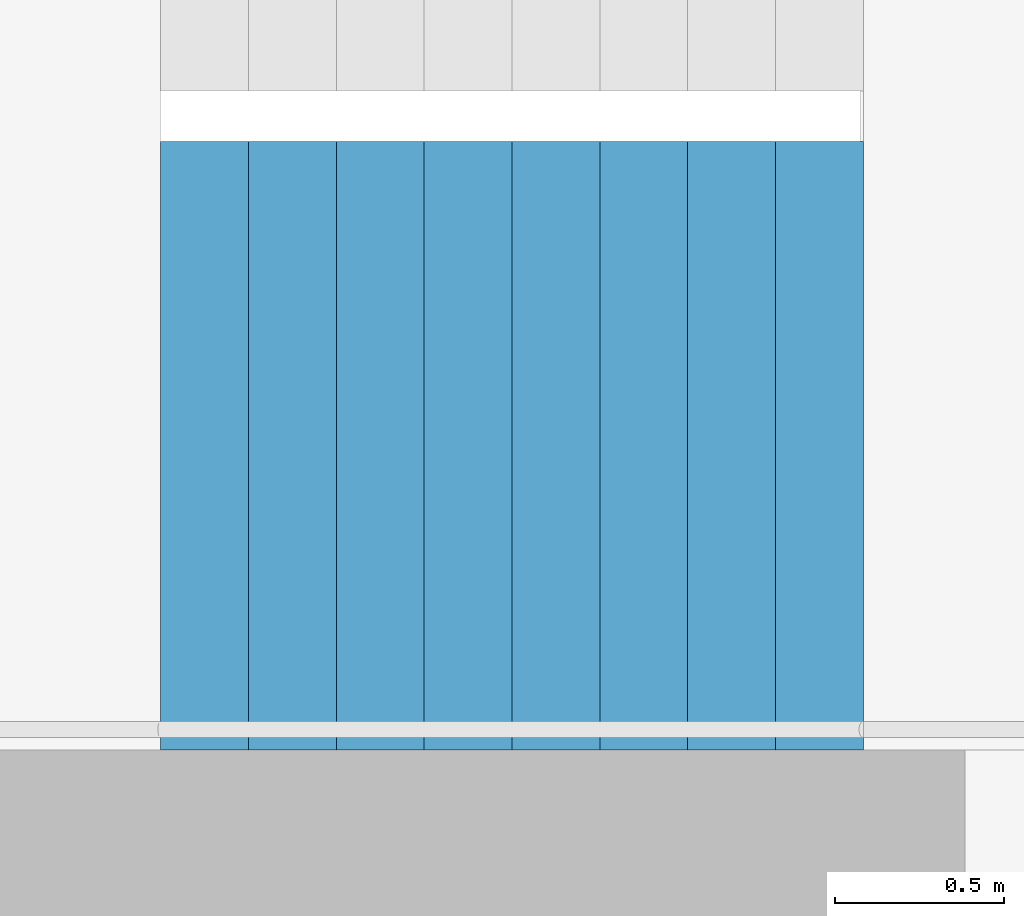
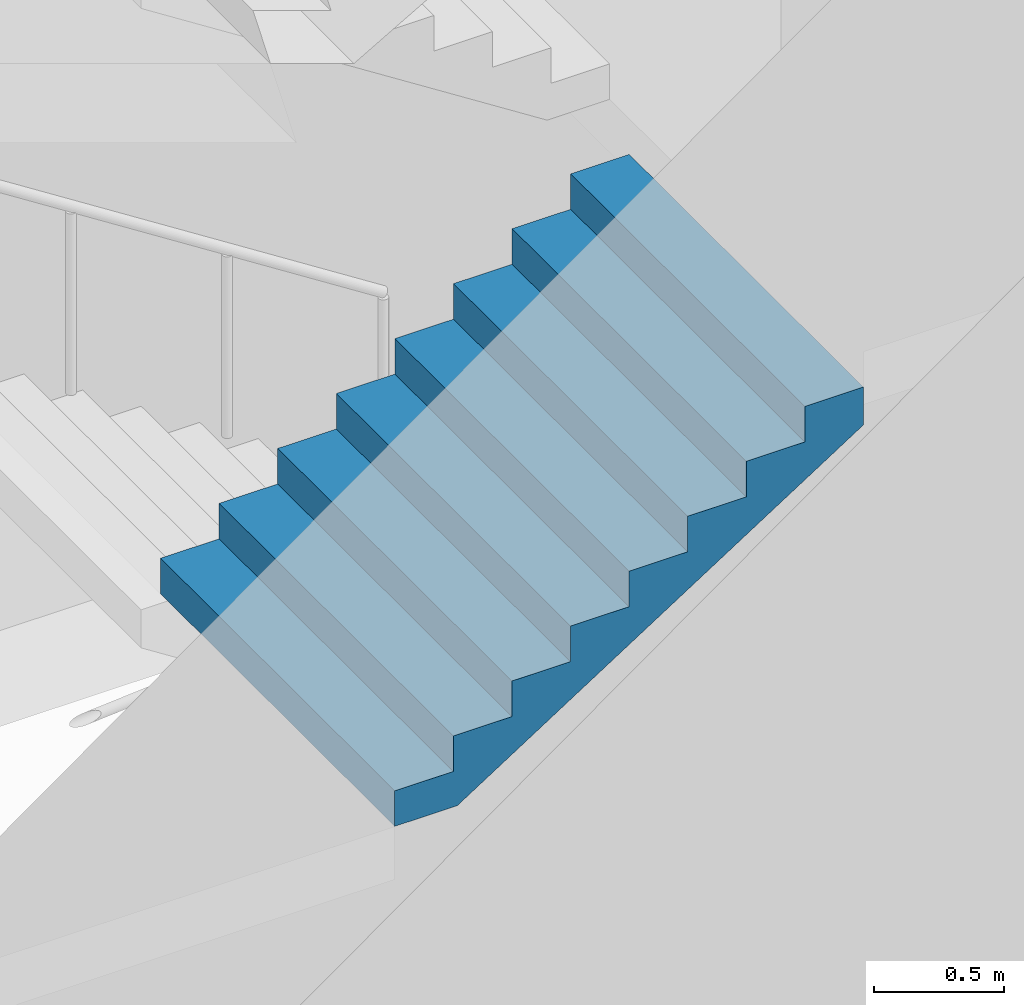
# One storey, part 18 of 35: 1 stair flight, 1 element without a shape of its own.
"""IFC4 building model written with IfcOpenShell, lengths in metres."""

from ifc_helpers import new_model, si_unit, direction, frame, origin, place, context, subcontext, project, spatial, triangles, material, type_object, element, aggregate, save


model = new_model("IFC4")

# Units and contexts
model_context = context("Model", 3, precision=1e-05, world=origin(), true_north=direction((0.0, 1.0)))
body_context = subcontext(model_context, "Body", "Model", "MODEL_VIEW")
ifc_project = project(units=[si_unit("LENGTHUNIT", "METRE"), si_unit("AREAUNIT", "SQUARE_METRE"), si_unit("VOLUMEUNIT", "CUBIC_METRE"), si_unit("PLANEANGLEUNIT", "RADIAN"), si_unit("MASSUNIT", "GRAM", prefix="KILO")], contexts=[model_context])

# Site, building, storey
site_placement = place(None, origin())
site = spatial("IfcSite", under=ifc_project, at=site_placement, CompositionType="ELEMENT")
building_placement = place(site_placement, origin())
building = spatial("IfcBuilding", under=site, at=building_placement, Name="Hakoniwa Tower and Hamabe Station Hall", CompositionType="ELEMENT")
storey_placement = place(building_placement, frame((0.0, 0.0, 264.60009765625)))
storey = spatial("IfcBuildingStorey", under=building, at=storey_placement, Name="L75", CompositionType="ELEMENT", Elevation=264.60009765625)

# Stair, stair flight
ifc_material_1 = material(Name="Concrete C40", Category="concrete")
stair_type = type_object("IfcStairType", Name="ESCAPE STAIR 1800", PredefinedType="HALF_TURN_STAIR", material=ifc_material_1)
stair_placement = place(storey_placement, origin())
stair = element("IfcStair", 1, at=stair_placement, inside=storey, type_object=stair_type, Name="Escape stair ST-2 L75", PredefinedType="HALF_TURN_STAIR")
ifc_material_2 = material(Name="Concrete C40", Category="concrete")
stair_flight_type = type_object("IfcStairFlightType", Name="STAIR FLIGHT 1800", PredefinedType="STRAIGHT", material=ifc_material_2)
stair_flight_placement = place(storey_placement, frame((-25.47998046875, -6.60009765625, 1.5), z_axis=(0.0, 0.0, 1.0), x_axis=(1.0, 0.0, 0.0)))
stair_flight = element("IfcStairFlight", 2, at=stair_flight_placement, type_object=stair_flight_type, Name="ST-2 flight 2", NumberOfRisers=9, NumberOfTreads=8, PredefinedType="STRAIGHT", RiserHeight=0.166666667, TreadLength=0.26, context=body_context, shape_type="Tessellation", body=[
    triangles([(0.0, 0.89990234375, 0.0), (0.260009765625, 0.89990234375, 0.0), (0.27783203125, 0.89990234375, 0.0), (0.52001953125, 0.89990234375, 0.1552734375), (0.780029296875, 0.89990234375, 0.322021484375), (1.0400390625, 0.89990234375, 0.488525390625), (1.300048828125, 0.89990234375, 0.6552734375), (1.56005859375, 0.89990234375, 0.822021484375), (1.820068359375, 0.89990234375, 0.988525390625), (2.080078125, 0.89990234375, 1.1552734375), (2.080078125, 0.89990234375, 1.333251953125), (1.820068359375, 0.89990234375, 1.333251953125), (1.820068359375, 0.89990234375, 1.166748046875), (1.56005859375, 0.89990234375, 1.166748046875), (1.56005859375, 0.89990234375, 1.0), (1.300048828125, 0.89990234375, 1.0), (1.300048828125, 0.89990234375, 0.833251953125), (1.0400390625, 0.89990234375, 0.833251953125), (1.0400390625, 0.89990234375, 0.666748046875), (0.780029296875, 0.89990234375, 0.666748046875), (0.780029296875, 0.89990234375, 0.5), (0.52001953125, 0.89990234375, 0.5), (0.52001953125, 0.89990234375, 0.333251953125), (0.27783203125, 0.89990234375, 0.333251953125), (0.260009765625, 0.89990234375, 0.333251953125), (0.260009765625, 0.89990234375, 0.166748046875), (0.0, 0.89990234375, 0.166748046875), (0.0, 0.06005859375, 0.0), (0.260009765625, 0.06005859375, 0.0), (0.27783203125, 0.06005859375, 0.0), (0.52001953125, 0.06005859375, 0.1552734375), (0.780029296875, 0.06005859375, 0.322021484375), (1.0400390625, 0.06005859375, 0.488525390625), (1.300048828125, 0.06005859375, 0.6552734375), (1.56005859375, 0.06005859375, 0.822021484375), (1.820068359375, 0.06005859375, 0.988525390625), (2.080078125, 0.06005859375, 1.1552734375), (2.080078125, 0.06005859375, 1.333251953125), (1.820068359375, 0.06005859375, 1.333251953125), (1.820068359375, 0.06005859375, 1.166748046875), (1.56005859375, 0.06005859375, 1.166748046875), (1.56005859375, 0.06005859375, 1.0), (1.300048828125, 0.06005859375, 1.0), (1.300048828125, 0.06005859375, 0.833251953125), (1.0400390625, 0.06005859375, 0.833251953125), (1.0400390625, 0.06005859375, 0.666748046875), (0.780029296875, 0.06005859375, 0.666748046875), (0.780029296875, 0.06005859375, 0.5), (0.52001953125, 0.06005859375, 0.5), (0.52001953125, 0.06005859375, 0.333251953125), (0.27783203125, 0.06005859375, 0.333251953125), (0.260009765625, 0.06005859375, 0.333251953125), (0.260009765625, 0.06005859375, 0.166748046875), (0.0, 0.06005859375, 0.166748046875), (0.0, 0.04296875, 0.0), (0.260009765625, 0.04296875, 0.0), (0.27783203125, 0.04296875, 0.0), (0.52001953125, 0.04296875, 0.1552734375), (0.780029296875, 0.04296875, 0.322021484375), (1.0400390625, 0.04296875, 0.488525390625), (1.300048828125, 0.04296875, 0.6552734375), (1.56005859375, 0.04296875, 0.822021484375), (1.820068359375, 0.04296875, 0.988525390625), (2.080078125, 0.04296875, 1.1552734375), (2.080078125, 0.04296875, 1.333251953125), (1.820068359375, 0.04296875, 1.333251953125), (1.820068359375, 0.04296875, 1.166748046875), (1.56005859375, 0.04296875, 1.166748046875), (1.56005859375, 0.04296875, 1.0), (1.300048828125, 0.04296875, 1.0), (1.300048828125, 0.04296875, 0.833251953125), (1.0400390625, 0.04296875, 0.833251953125), (1.0400390625, 0.04296875, 0.666748046875), (0.780029296875, 0.04296875, 0.666748046875), (0.780029296875, 0.04296875, 0.5), (0.52001953125, 0.04296875, 0.5), (0.52001953125, 0.04296875, 0.333251953125), (0.27783203125, 0.04296875, 0.333251953125), (0.260009765625, 0.04296875, 0.333251953125), (0.260009765625, 0.04296875, 0.166748046875), (0.0, 0.04296875, 0.166748046875), (0.0, 0.025634765625, 0.0), (0.260009765625, 0.025634765625, 0.0), (0.27783203125, 0.025634765625, 0.0), (0.52001953125, 0.025634765625, 0.1552734375), (0.780029296875, 0.025634765625, 0.322021484375), (1.0400390625, 0.025634765625, 0.488525390625), (1.300048828125, 0.025634765625, 0.6552734375), (1.56005859375, 0.025634765625, 0.822021484375), (1.820068359375, 0.025634765625, 0.988525390625), (2.080078125, 0.025634765625, 1.1552734375), (2.080078125, 0.025634765625, 1.333251953125), (1.820068359375, 0.025634765625, 1.333251953125), (1.820068359375, 0.025634765625, 1.166748046875), (1.56005859375, 0.025634765625, 1.166748046875), (1.56005859375, 0.025634765625, 1.0), (1.300048828125, 0.025634765625, 1.0), (1.300048828125, 0.025634765625, 0.833251953125), (1.0400390625, 0.025634765625, 0.833251953125), (1.0400390625, 0.025634765625, 0.666748046875), (0.780029296875, 0.025634765625, 0.666748046875), (0.780029296875, 0.025634765625, 0.5), (0.52001953125, 0.025634765625, 0.5), (0.52001953125, 0.025634765625, 0.333251953125), (0.27783203125, 0.025634765625, 0.333251953125), (0.260009765625, 0.025634765625, 0.333251953125), (0.260009765625, 0.025634765625, 0.166748046875), (0.0, 0.025634765625, 0.166748046875), (0.0, 0.008544921875, 0.0), (0.260009765625, 0.008544921875, 0.0), (0.27783203125, 0.008544921875, 0.0), (0.52001953125, 0.008544921875, 0.1552734375), (0.780029296875, 0.008544921875, 0.322021484375), (1.0400390625, 0.008544921875, 0.488525390625), (1.300048828125, 0.008544921875, 0.6552734375), (1.56005859375, 0.008544921875, 0.822021484375), (1.820068359375, 0.008544921875, 0.988525390625), (2.080078125, 0.008544921875, 1.1552734375), (2.080078125, 0.008544921875, 1.333251953125), (1.820068359375, 0.008544921875, 1.333251953125), (1.820068359375, 0.008544921875, 1.166748046875), (1.56005859375, 0.008544921875, 1.166748046875), (1.56005859375, 0.008544921875, 1.0), (1.300048828125, 0.008544921875, 1.0), (1.300048828125, 0.008544921875, 0.833251953125), (1.0400390625, 0.008544921875, 0.833251953125), (1.0400390625, 0.008544921875, 0.666748046875), (0.780029296875, 0.008544921875, 0.666748046875), (0.780029296875, 0.008544921875, 0.5), (0.52001953125, 0.008544921875, 0.5), (0.52001953125, 0.008544921875, 0.333251953125), (0.27783203125, 0.008544921875, 0.333251953125), (0.260009765625, 0.008544921875, 0.333251953125), (0.260009765625, 0.008544921875, 0.166748046875), (0.0, 0.008544921875, 0.166748046875), (0.0, -0.008544921875, 0.0), (0.260009765625, -0.008544921875, 0.0), (0.27783203125, -0.008544921875, 0.0), (0.52001953125, -0.008544921875, 0.1552734375), (0.780029296875, -0.008544921875, 0.322021484375), (1.0400390625, -0.008544921875, 0.488525390625), (1.300048828125, -0.008544921875, 0.6552734375), (1.56005859375, -0.008544921875, 0.822021484375), (1.820068359375, -0.008544921875, 0.988525390625), (2.080078125, -0.008544921875, 1.1552734375), (2.080078125, -0.008544921875, 1.333251953125), (1.820068359375, -0.008544921875, 1.333251953125), (1.820068359375, -0.008544921875, 1.166748046875), (1.56005859375, -0.008544921875, 1.166748046875), (1.56005859375, -0.008544921875, 1.0), (1.300048828125, -0.008544921875, 1.0), (1.300048828125, -0.008544921875, 0.833251953125), (1.0400390625, -0.008544921875, 0.833251953125), (1.0400390625, -0.008544921875, 0.666748046875), (0.780029296875, -0.008544921875, 0.666748046875), (0.780029296875, -0.008544921875, 0.5), (0.52001953125, -0.008544921875, 0.5), (0.52001953125, -0.008544921875, 0.333251953125), (0.27783203125, -0.008544921875, 0.333251953125), (0.260009765625, -0.008544921875, 0.333251953125), (0.260009765625, -0.008544921875, 0.166748046875), (0.0, -0.008544921875, 0.166748046875), (0.0, -0.025634765625, 0.0), (0.260009765625, -0.025634765625, 0.0), (0.27783203125, -0.025634765625, 0.0), (0.52001953125, -0.025634765625, 0.1552734375), (0.780029296875, -0.025634765625, 0.322021484375), (1.0400390625, -0.025634765625, 0.488525390625), (1.300048828125, -0.025634765625, 0.6552734375), (1.56005859375, -0.025634765625, 0.822021484375), (1.820068359375, -0.025634765625, 0.988525390625), (2.080078125, -0.025634765625, 1.1552734375), (2.080078125, -0.025634765625, 1.333251953125), (1.820068359375, -0.025634765625, 1.333251953125), (1.820068359375, -0.025634765625, 1.166748046875), (1.56005859375, -0.025634765625, 1.166748046875), (1.56005859375, -0.025634765625, 1.0), (1.300048828125, -0.025634765625, 1.0), (1.300048828125, -0.025634765625, 0.833251953125), (1.0400390625, -0.025634765625, 0.833251953125), (1.0400390625, -0.025634765625, 0.666748046875), (0.780029296875, -0.025634765625, 0.666748046875), (0.780029296875, -0.025634765625, 0.5), (0.52001953125, -0.025634765625, 0.5), (0.52001953125, -0.025634765625, 0.333251953125), (0.27783203125, -0.025634765625, 0.333251953125), (0.260009765625, -0.025634765625, 0.333251953125), (0.260009765625, -0.025634765625, 0.166748046875), (0.0, -0.025634765625, 0.166748046875), (0.0, -0.04296875, 0.0), (0.260009765625, -0.04296875, 0.0), (0.27783203125, -0.04296875, 0.0), (0.52001953125, -0.04296875, 0.1552734375), (0.780029296875, -0.04296875, 0.322021484375), (1.0400390625, -0.04296875, 0.488525390625), (1.300048828125, -0.04296875, 0.6552734375), (1.56005859375, -0.04296875, 0.822021484375), (1.820068359375, -0.04296875, 0.988525390625), (2.080078125, -0.04296875, 1.1552734375), (2.080078125, -0.04296875, 1.333251953125), (1.820068359375, -0.04296875, 1.333251953125), (1.820068359375, -0.04296875, 1.166748046875), (1.56005859375, -0.04296875, 1.166748046875), (1.56005859375, -0.04296875, 1.0), (1.300048828125, -0.04296875, 1.0), (1.300048828125, -0.04296875, 0.833251953125), (1.0400390625, -0.04296875, 0.833251953125), (1.0400390625, -0.04296875, 0.666748046875), (0.780029296875, -0.04296875, 0.666748046875), (0.780029296875, -0.04296875, 0.5), (0.52001953125, -0.04296875, 0.5), (0.52001953125, -0.04296875, 0.333251953125), (0.27783203125, -0.04296875, 0.333251953125), (0.260009765625, -0.04296875, 0.333251953125), (0.260009765625, -0.04296875, 0.166748046875), (0.0, -0.04296875, 0.166748046875), (0.0, -0.06005859375, 0.0), (0.260009765625, -0.06005859375, 0.0), (0.27783203125, -0.06005859375, 0.0), (0.52001953125, -0.06005859375, 0.1552734375), (0.780029296875, -0.06005859375, 0.322021484375), (1.0400390625, -0.06005859375, 0.488525390625), (1.300048828125, -0.06005859375, 0.6552734375), (1.56005859375, -0.06005859375, 0.822021484375), (1.820068359375, -0.06005859375, 0.988525390625), (2.080078125, -0.06005859375, 1.1552734375), (2.080078125, -0.06005859375, 1.333251953125), (1.820068359375, -0.06005859375, 1.333251953125), (1.820068359375, -0.06005859375, 1.166748046875), (1.56005859375, -0.06005859375, 1.166748046875), (1.56005859375, -0.06005859375, 1.0), (1.300048828125, -0.06005859375, 1.0), (1.300048828125, -0.06005859375, 0.833251953125), (1.0400390625, -0.06005859375, 0.833251953125), (1.0400390625, -0.06005859375, 0.666748046875), (0.780029296875, -0.06005859375, 0.666748046875), (0.780029296875, -0.06005859375, 0.5), (0.52001953125, -0.06005859375, 0.5), (0.52001953125, -0.06005859375, 0.333251953125), (0.27783203125, -0.06005859375, 0.333251953125), (0.260009765625, -0.06005859375, 0.333251953125), (0.260009765625, -0.06005859375, 0.166748046875), (0.0, -0.06005859375, 0.166748046875), (0.0, -0.89990234375, 0.0), (0.260009765625, -0.89990234375, 0.0), (0.27783203125, -0.89990234375, 0.0), (0.52001953125, -0.89990234375, 0.1552734375), (0.780029296875, -0.89990234375, 0.322021484375), (1.0400390625, -0.89990234375, 0.488525390625), (1.300048828125, -0.89990234375, 0.6552734375), (1.56005859375, -0.89990234375, 0.822021484375), (1.820068359375, -0.89990234375, 0.988525390625), (2.080078125, -0.89990234375, 1.1552734375), (2.080078125, -0.89990234375, 1.333251953125), (1.820068359375, -0.89990234375, 1.333251953125), (1.820068359375, -0.89990234375, 1.166748046875), (1.56005859375, -0.89990234375, 1.166748046875), (1.56005859375, -0.89990234375, 1.0), (1.300048828125, -0.89990234375, 1.0), (1.300048828125, -0.89990234375, 0.833251953125), (1.0400390625, -0.89990234375, 0.833251953125), (1.0400390625, -0.89990234375, 0.666748046875), (0.780029296875, -0.89990234375, 0.666748046875), (0.780029296875, -0.89990234375, 0.5), (0.52001953125, -0.89990234375, 0.5), (0.52001953125, -0.89990234375, 0.333251953125), (0.27783203125, -0.89990234375, 0.333251953125), (0.260009765625, -0.89990234375, 0.333251953125), (0.260009765625, -0.89990234375, 0.166748046875), (0.0, -0.89990234375, 0.166748046875)], [[2, 27, 26], [245, 269, 270], [2, 1, 27], [245, 270, 244], [3, 25, 24], [246, 267, 268], [3, 26, 25], [246, 268, 269], [3, 2, 26], [246, 269, 245], [4, 24, 23], [247, 266, 267], [4, 3, 24], [247, 267, 246], [5, 22, 21], [248, 264, 265], [5, 23, 22], [248, 265, 266], [5, 4, 23], [248, 266, 247], [6, 20, 19], [249, 262, 263], [6, 21, 20], [249, 263, 264], [6, 5, 21], [249, 264, 248], [7, 18, 17], [250, 260, 261], [7, 19, 18], [250, 261, 262], [7, 6, 19], [250, 262, 249], [8, 16, 15], [251, 258, 259], [8, 17, 16], [251, 259, 260], [8, 7, 17], [251, 260, 250], [9, 14, 13], [252, 256, 257], [9, 15, 14], [252, 257, 258], [9, 8, 15], [252, 258, 251], [10, 12, 11], [253, 254, 255], [10, 13, 12], [253, 255, 256], [10, 9, 13], [253, 256, 252], [1, 2, 29], [1, 29, 28], [28, 29, 56], [28, 56, 55], [55, 56, 83], [55, 83, 82], [82, 83, 110], [82, 110, 109], [109, 110, 137], [109, 137, 136], [136, 137, 164], [136, 164, 163], [163, 164, 191], [163, 191, 190], [190, 191, 218], [190, 218, 217], [217, 218, 245], [217, 245, 244], [2, 3, 30], [2, 30, 29], [29, 30, 57], [29, 57, 56], [56, 57, 84], [56, 84, 83], [83, 84, 111], [83, 111, 110], [110, 111, 138], [110, 138, 137], [137, 138, 165], [137, 165, 164], [164, 165, 192], [164, 192, 191], [191, 192, 219], [191, 219, 218], [218, 219, 246], [218, 246, 245], [3, 4, 31], [3, 31, 30], [30, 31, 58], [30, 58, 57], [57, 58, 85], [57, 85, 84], [84, 85, 112], [84, 112, 111], [111, 112, 139], [111, 139, 138], [138, 139, 166], [138, 166, 165], [165, 166, 193], [165, 193, 192], [192, 193, 220], [192, 220, 219], [219, 220, 247], [219, 247, 246], [4, 5, 32], [4, 32, 31], [31, 32, 59], [31, 59, 58], [58, 59, 86], [58, 86, 85], [85, 86, 113], [85, 113, 112], [112, 113, 140], [112, 140, 139], [139, 140, 167], [139, 167, 166], [166, 167, 194], [166, 194, 193], [193, 194, 221], [193, 221, 220], [220, 221, 248], [220, 248, 247], [5, 6, 33], [5, 33, 32], [32, 33, 60], [32, 60, 59], [59, 60, 87], [59, 87, 86], [86, 87, 114], [86, 114, 113], [113, 114, 141], [113, 141, 140], [140, 141, 168], [140, 168, 167], [167, 168, 195], [167, 195, 194], [194, 195, 222], [194, 222, 221], [221, 222, 249], [221, 249, 248], [6, 7, 34], [6, 34, 33], [33, 34, 61], [33, 61, 60], [60, 61, 88], [60, 88, 87], [87, 88, 115], [87, 115, 114], [114, 115, 142], [114, 142, 141], [141, 142, 169], [141, 169, 168], [168, 169, 196], [168, 196, 195], [195, 196, 223], [195, 223, 222], [222, 223, 250], [222, 250, 249], [7, 8, 35], [7, 35, 34], [34, 35, 62], [34, 62, 61], [61, 62, 89], [61, 89, 88], [88, 89, 116], [88, 116, 115], [115, 116, 143], [115, 143, 142], [142, 143, 170], [142, 170, 169], [169, 170, 197], [169, 197, 196], [196, 197, 224], [196, 224, 223], [223, 224, 251], [223, 251, 250], [8, 9, 36], [8, 36, 35], [35, 36, 63], [35, 63, 62], [62, 63, 90], [62, 90, 89], [89, 90, 117], [89, 117, 116], [116, 117, 144], [116, 144, 143], [143, 144, 171], [143, 171, 170], [170, 171, 198], [170, 198, 197], [197, 198, 225], [197, 225, 224], [224, 225, 252], [224, 252, 251], [9, 10, 37], [9, 37, 36], [36, 37, 64], [36, 64, 63], [63, 64, 91], [63, 91, 90], [90, 91, 118], [90, 118, 117], [117, 118, 145], [117, 145, 144], [144, 145, 172], [144, 172, 171], [171, 172, 199], [171, 199, 198], [198, 199, 226], [198, 226, 225], [225, 226, 253], [225, 253, 252], [10, 11, 38], [10, 38, 37], [37, 38, 65], [37, 65, 64], [64, 65, 92], [64, 92, 91], [91, 92, 119], [91, 119, 118], [118, 119, 146], [118, 146, 145], [145, 146, 173], [145, 173, 172], [172, 173, 200], [172, 200, 199], [199, 200, 227], [199, 227, 226], [226, 227, 254], [226, 254, 253], [11, 12, 39], [11, 39, 38], [38, 39, 66], [38, 66, 65], [65, 66, 93], [65, 93, 92], [92, 93, 120], [92, 120, 119], [119, 120, 147], [119, 147, 146], [146, 147, 174], [146, 174, 173], [173, 174, 201], [173, 201, 200], [200, 201, 228], [200, 228, 227], [227, 228, 255], [227, 255, 254], [12, 13, 40], [12, 40, 39], [39, 40, 67], [39, 67, 66], [66, 67, 94], [66, 94, 93], [93, 94, 121], [93, 121, 120], [120, 121, 148], [120, 148, 147], [147, 148, 175], [147, 175, 174], [174, 175, 202], [174, 202, 201], [201, 202, 229], [201, 229, 228], [228, 229, 256], [228, 256, 255], [13, 14, 41], [13, 41, 40], [40, 41, 68], [40, 68, 67], [67, 68, 95], [67, 95, 94], [94, 95, 122], [94, 122, 121], [121, 122, 149], [121, 149, 148], [148, 149, 176], [148, 176, 175], [175, 176, 203], [175, 203, 202], [202, 203, 230], [202, 230, 229], [229, 230, 257], [229, 257, 256], [14, 15, 42], [14, 42, 41], [41, 42, 69], [41, 69, 68], [68, 69, 96], [68, 96, 95], [95, 96, 123], [95, 123, 122], [122, 123, 150], [122, 150, 149], [149, 150, 177], [149, 177, 176], [176, 177, 204], [176, 204, 203], [203, 204, 231], [203, 231, 230], [230, 231, 258], [230, 258, 257], [15, 16, 43], [15, 43, 42], [42, 43, 70], [42, 70, 69], [69, 70, 97], [69, 97, 96], [96, 97, 124], [96, 124, 123], [123, 124, 151], [123, 151, 150], [150, 151, 178], [150, 178, 177], [177, 178, 205], [177, 205, 204], [204, 205, 232], [204, 232, 231], [231, 232, 259], [231, 259, 258], [16, 17, 44], [16, 44, 43], [43, 44, 71], [43, 71, 70], [70, 71, 98], [70, 98, 97], [97, 98, 125], [97, 125, 124], [124, 125, 152], [124, 152, 151], [151, 152, 179], [151, 179, 178], [178, 179, 206], [178, 206, 205], [205, 206, 233], [205, 233, 232], [232, 233, 260], [232, 260, 259], [17, 18, 45], [17, 45, 44], [44, 45, 72], [44, 72, 71], [71, 72, 99], [71, 99, 98], [98, 99, 126], [98, 126, 125], [125, 126, 153], [125, 153, 152], [152, 153, 180], [152, 180, 179], [179, 180, 207], [179, 207, 206], [206, 207, 234], [206, 234, 233], [233, 234, 261], [233, 261, 260], [18, 19, 46], [18, 46, 45], [45, 46, 73], [45, 73, 72], [72, 73, 100], [72, 100, 99], [99, 100, 127], [99, 127, 126], [126, 127, 154], [126, 154, 153], [153, 154, 181], [153, 181, 180], [180, 181, 208], [180, 208, 207], [207, 208, 235], [207, 235, 234], [234, 235, 262], [234, 262, 261], [19, 20, 47], [19, 47, 46], [46, 47, 74], [46, 74, 73], [73, 74, 101], [73, 101, 100], [100, 101, 128], [100, 128, 127], [127, 128, 155], [127, 155, 154], [154, 155, 182], [154, 182, 181], [181, 182, 209], [181, 209, 208], [208, 209, 236], [208, 236, 235], [235, 236, 263], [235, 263, 262], [20, 21, 48], [20, 48, 47], [47, 48, 75], [47, 75, 74], [74, 75, 102], [74, 102, 101], [101, 102, 129], [101, 129, 128], [128, 129, 156], [128, 156, 155], [155, 156, 183], [155, 183, 182], [182, 183, 210], [182, 210, 209], [209, 210, 237], [209, 237, 236], [236, 237, 264], [236, 264, 263], [21, 22, 49], [21, 49, 48], [48, 49, 76], [48, 76, 75], [75, 76, 103], [75, 103, 102], [102, 103, 130], [102, 130, 129], [129, 130, 157], [129, 157, 156], [156, 157, 184], [156, 184, 183], [183, 184, 211], [183, 211, 210], [210, 211, 238], [210, 238, 237], [237, 238, 265], [237, 265, 264], [22, 23, 50], [22, 50, 49], [49, 50, 77], [49, 77, 76], [76, 77, 104], [76, 104, 103], [103, 104, 131], [103, 131, 130], [130, 131, 158], [130, 158, 157], [157, 158, 185], [157, 185, 184], [184, 185, 212], [184, 212, 211], [211, 212, 239], [211, 239, 238], [238, 239, 266], [238, 266, 265], [23, 24, 51], [23, 51, 50], [50, 51, 78], [50, 78, 77], [77, 78, 105], [77, 105, 104], [104, 105, 132], [104, 132, 131], [131, 132, 159], [131, 159, 158], [158, 159, 186], [158, 186, 185], [185, 186, 213], [185, 213, 212], [212, 213, 240], [212, 240, 239], [239, 240, 267], [239, 267, 266], [24, 25, 52], [24, 52, 51], [51, 52, 79], [51, 79, 78], [78, 79, 106], [78, 106, 105], [105, 106, 133], [105, 133, 132], [132, 133, 160], [132, 160, 159], [159, 160, 187], [159, 187, 186], [186, 187, 214], [186, 214, 213], [213, 214, 241], [213, 241, 240], [240, 241, 268], [240, 268, 267], [25, 26, 53], [25, 53, 52], [52, 53, 80], [52, 80, 79], [79, 80, 107], [79, 107, 106], [106, 107, 134], [106, 134, 133], [133, 134, 161], [133, 161, 160], [160, 161, 188], [160, 188, 187], [187, 188, 215], [187, 215, 214], [214, 215, 242], [214, 242, 241], [241, 242, 269], [241, 269, 268], [26, 27, 54], [26, 54, 53], [53, 54, 81], [53, 81, 80], [80, 81, 108], [80, 108, 107], [107, 108, 135], [107, 135, 134], [134, 135, 162], [134, 162, 161], [161, 162, 189], [161, 189, 188], [188, 189, 216], [188, 216, 215], [215, 216, 243], [215, 243, 242], [242, 243, 270], [242, 270, 269], [27, 1, 28], [27, 28, 54], [54, 28, 55], [54, 55, 81], [81, 55, 82], [81, 82, 108], [108, 82, 109], [108, 109, 135], [135, 109, 136], [135, 136, 162], [162, 136, 163], [162, 163, 189], [189, 163, 190], [189, 190, 216], [216, 190, 217], [216, 217, 243], [243, 217, 244], [243, 244, 270]], closed=True),
])
aggregate(stair, [stair_flight])

save(model, "model.ifc")
